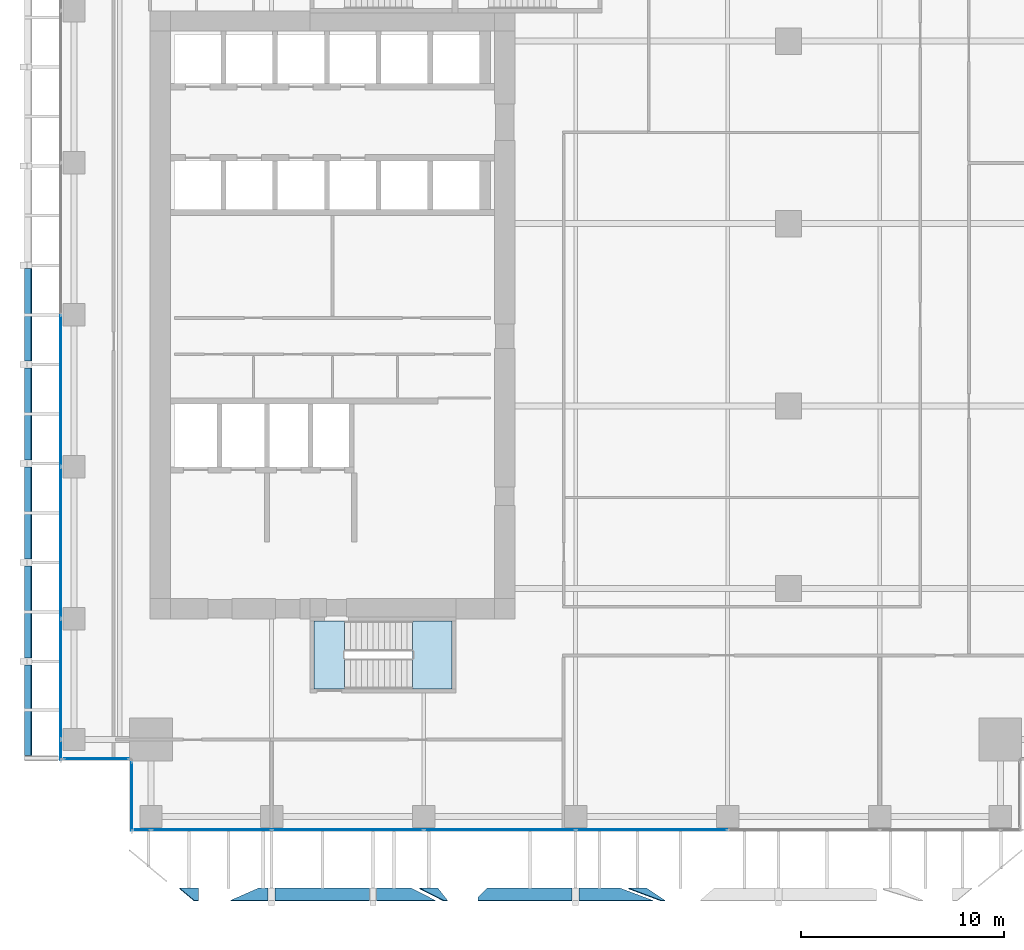
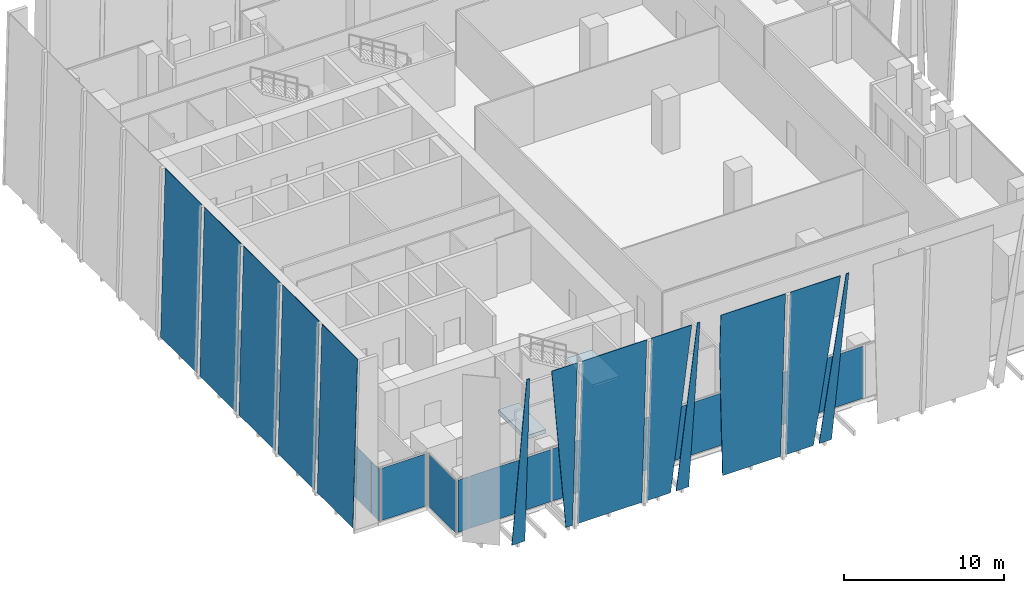
# One storey, part 23 of 36: 24 plates, 2 slabs, 5 elements without a shape of their own.
"""IFC4 building model written with IfcOpenShell, lengths in metres."""

from ifc_helpers import new_model, si_unit, direction, frame, origin, origin_2d, place, context, subcontext, project, spatial, polyline, rectangle, outline, extrude, source, transform, mapped, material, layer, layer_set, type_object, element, aggregate, save


model = new_model("IFC4")

# Units and contexts
model_context = context("Model", 3, precision=1e-05, world=origin(), true_north=direction((0.0, 1.0)))
body_context = subcontext(model_context, "Body", "Model", "MODEL_VIEW")
ifc_project = project(units=[si_unit("LENGTHUNIT", "METRE"), si_unit("AREAUNIT", "SQUARE_METRE"), si_unit("VOLUMEUNIT", "CUBIC_METRE"), si_unit("PLANEANGLEUNIT", "RADIAN"), si_unit("MASSUNIT", "GRAM", prefix="KILO")], contexts=[model_context])

# Site, building, storey
site_placement = place(None, origin())
site = spatial("IfcSite", under=ifc_project, at=site_placement, CompositionType="ELEMENT")
building_placement = place(site_placement, origin())
building = spatial("IfcBuilding", under=site, at=building_placement, Name="Khomas Fold Tower", CompositionType="ELEMENT")
storey_placement = place(building_placement, frame((0.0, 0.0, 141.10009765625)))
storey = spatial("IfcBuildingStorey", under=building, at=storey_placement, Name="L30", CompositionType="ELEMENT", Elevation=141.10009765625)

# Plates
ifc_material_1 = material(Name="Clear laminated glass", Category="glass")
ifc_layer_1 = layer(ifc_material_1, 0.0400390625)
ifc_layer_set_1 = layer_set([ifc_layer_1], Name="Clear laminated glass")
plate_type_1 = type_object("IfcPlateType", Name="SK-Clear laminated glass leaf", PredefinedType="SHEET", material=ifc_layer_set_1)
plate_1_placement = place(storey_placement, frame((8.39990234375, -1.27978515625, 0.0), z_axis=(0.0, 0.998875266546, 0.047415207295), x_axis=(-1.0, 0.0, 0.0)))
element("IfcPlate", 1, at=plate_1_placement, inside=storey, type_object=plate_type_1, Name="OUTER SKIN glass L30 SG099-1", PredefinedType="SHEET", context=body_context, shape_type="SweptSolid", body=[
    extrude(outline(polyline([(0.0, 0.0), (0.94384765625, 0.0), (0.217529296875, 12.764356498773964), (0.0, 12.764356498773964), (0.0, 0.0)])), origin(), (0.0, 0.0, -1.0), 0.0400390625),
])
plate_2_placement = place(storey_placement, frame((20.203369140625, -1.27978515625, 0.0), z_axis=(0.0, 0.998875266546, 0.047415207295), x_axis=(-1.0, 0.0, 0.0)))
element("IfcPlate", 2, at=plate_2_placement, inside=storey, type_object=plate_type_1, Name="OUTER SKIN glass L30 SG101-3", PredefinedType="SHEET", context=body_context, shape_type="SweptSolid", body=[
    extrude(outline(polyline([(0.0, 0.0), (0.906005859375, 0.0), (-0.274169921875, 12.764356498773965), (-0.47412109375, 12.764356498773965), (0.0, 0.0)])), origin(), (0.0, 0.0, -1.0), 0.0400390625),
])
plate_3_placement = place(storey_placement, frame((11.35205078125, -1.27978515625, 0.0), z_axis=(0.0, 0.998875266546, 0.047415207295), x_axis=(-0.107346599894, -0.047141226065, 0.993103424773)))
element("IfcPlate", 3, at=plate_3_placement, inside=storey, type_object=plate_type_1, Name="OUTER SKIN glass L30 SG099-4", PredefinedType="SHEET", context=body_context, shape_type="SweptSolid", body=[
    extrude(outline(polyline([(0.0, 0.0), (12.83854197050124, 0.0), (12.639285085981884, 1.845475408788143), (-0.05131461000774701, 0.4752651388145711), (0.0, 0.0)])), origin(), (0.0, 0.0, -1.0), 0.0400390625),
])
plate_4_placement = place(storey_placement, frame((12.169921875, -1.27978515625, 0.0), z_axis=(0.0, 0.998875266546, 0.047415207295), x_axis=(0.0, -0.047415207295, 0.998875266546)))
element("IfcPlate", 4, at=plate_4_placement, inside=storey, type_object=plate_type_1, Name="OUTER SKIN glass L30 SG100-6", PredefinedType="SHEET", context=body_context, shape_type="SweptSolid", body=[
    extrude(outline(polyline([(0.0, 0.0), (12.764356498773964, 0.0), (12.764356498773964, 4.66015625), (0.0, 4.66015625), (0.0, 0.0)])), origin(), (0.0, 0.0, -1.0), 0.0400390625),
])
plate_5_placement = place(storey_placement, frame((18.895751953125, -1.27978515625, 0.0), z_axis=(0.0, 0.998875266546, 0.047415207295), x_axis=(-1.0, 0.0, 0.0)))
element("IfcPlate", 5, at=plate_5_placement, inside=storey, type_object=plate_type_1, Name="OUTER SKIN glass L30 SG101-8", PredefinedType="SHEET", context=body_context, shape_type="SweptSolid", body=[
    extrude(outline(polyline([(0.0, 0.0), (1.725830078125, 0.0), (1.725830078125, 12.764356498773964), (-1.18017578125, 12.764356498773964), (0.0, 0.0)])), origin(), (0.0, 0.0, -1.0), 0.0400390625),
])
plate_6_placement = place(storey_placement, frame((30.501220703125, -1.27978515625, 0.0), z_axis=(0.0, 0.998875266546, 0.047415207295), x_axis=(-1.0, 0.0, 0.0)))
element("IfcPlate", 6, at=plate_6_placement, inside=storey, type_object=plate_type_1, Name="OUTER SKIN glass L30 SG103-9", PredefinedType="SHEET", context=body_context, shape_type="SweptSolid", body=[
    extrude(outline(polyline([(0.0, 0.0), (0.90478515625, 0.0), (-0.70458984375, 12.764356498773964), (-0.903564453125, 12.764356498773964), (0.0, 0.0)])), origin(), (0.0, 0.0, -1.0), 0.0400390625),
])
plate_7_placement = place(storey_placement, frame((22.64453125, -1.27978515625, 0.0), z_axis=(-2.064922e-06, 0.998875270184, 0.047415130602), x_axis=(-0.049181272799, -0.047357853524, 0.997666495436)))
element("IfcPlate", 7, at=plate_7_placement, inside=storey, type_object=plate_type_1, Name="OUTER SKIN glass L30 SG102-10", PredefinedType="SHEET", context=body_context, shape_type="SweptSolid", body=[
    extrude(outline(polyline([(0.0, 0.0), (9.65020521084845, 0.0), (12.772251848353278, 0.15373226358600894), (12.543059432537682, 4.80824911400712), (-0.2058505226709232, 4.180481814942348), (0.0, 0.0)])), origin(), (0.0, 0.0, -1.0), 0.0400390625),
])
plate_8_placement = place(storey_placement, frame((29.193359375, -1.27978515625, 0.0), z_axis=(0.0, 0.998875266546, 0.047415207295), x_axis=(-1.0, 0.0, 0.0)))
element("IfcPlate", 8, at=plate_8_placement, inside=storey, type_object=plate_type_1, Name="OUTER SKIN glass L30 SG103-12", PredefinedType="SHEET", context=body_context, shape_type="SweptSolid", body=[
    extrude(outline(polyline([(0.0, 0.0), (2.0234375, 0.0), (2.0234375, 12.764356498773964), (-1.609375, 12.764356498773964), (0.0, 0.0)])), origin(), (0.0, 0.0, -1.0), 0.0400390625),
])
plate_9_placement = place(storey_placement, frame((-0.203125, 5.27001953125, 0.0009765625), z_axis=(-0.9996570913, 0.0, 0.026185870498), x_axis=(0.0, 1.0, 0.0)))
element("IfcPlate", 9, at=plate_9_placement, inside=storey, type_object=plate_type_1, Name="OUTER SKIN glass L30 W1", PredefinedType="SHEET", context=body_context, shape_type="SweptSolid", body=[
    extrude(outline(polyline([(0.0, 0.0), (4.448974609375, 0.0), (4.448974609375, -12.754373585666377), (0.0, -12.754373585666377), (0.0, 0.0)])), origin(), (0.0, 0.0, -1.0), 0.0400390625),
])
for number, where, z_axis, x_axis, name in (
    (10, (-0.203125, 10.058837890625, 0.0009765625), (-0.9996570913, 0.0, 0.026185870498), (0.0, 1.0, 0.0), "OUTER SKIN glass L30 W3"),
    (11, (-0.203125, 14.94775390625, 0.0009765625), (-0.9996570913, 0.0, 0.026185870498), (0.0, 1.0, 0.0), "OUTER SKIN glass L30 W5"),
    (12, (-0.203125, 19.836669921875, 0.0009765625), (-0.9996570913, 0.0, 0.026185870498), (0.0, 1.0, 0.0), "OUTER SKIN glass L30 W7"),
    (13, (-0.203125, 24.7255859375, 0.0009765625), (-0.9996570913, 0.0, 0.026185870498), (0.0, 1.0, 0.0), "OUTER SKIN glass L30 W9"),
):
    element("IfcPlate", number, at=place(storey_placement, frame(where, z_axis=z_axis, x_axis=x_axis)), inside=storey, type_object=plate_type_1, Name=name, PredefinedType="SHEET", context=body_context, shape_type="SweptSolid", body=[
        extrude(outline(polyline([(0.0, 0.0), (4.548828125, 0.0), (4.548828125, -12.754373585666377), (0.0, -12.754373585666377), (0.0, 0.0)])), origin(), (0.0, 0.0, -1.0), 0.0400390625),
    ])

# Curtain wall, plates
ifc_material_2 = material(Name="Aluminium framed double glazing", Category="aluminium")
curtain_wall_type = type_object("IfcCurtainWallType", Name="SK-Unitised clear-glass wall, growing floors CW1", PredefinedType="NOTDEFINED", material=ifc_material_2)
curtain_wall_1_placement = place(storey_placement, origin())
curtain_wall_1 = element("IfcCurtainWall", 14, at=curtain_wall_1_placement, inside=storey, type_object=curtain_wall_type, Name="CW1 run L30 00-0", PredefinedType="NOTDEFINED")
ifc_material_3 = material(Name="Clear double glazed unit")
ifc_layer_2 = layer(ifc_material_3, 0.031982421875)
ifc_layer_set_2 = layer_set([ifc_layer_2], Name="Clear double glazed unit")
plate_type_2 = type_object("IfcPlateType", Name="SK-Unitised clear-glass wall, growing floors glass panel CW1-P", PredefinedType="CURTAIN_PANEL", material=ifc_layer_set_2)
shared_shape_1 = source(origin(), body_context, "Body", "SweptSolid", [
    extrude(rectangle(XDim=0.760009765625, YDim=0.031982421875, at=origin_2d()), origin(), (0.0, 0.0, 1.0), 3.97998046875),
])
plate_10_placement = place(storey_placement, frame((5.639892578125, 1.60009765625, 0.0), z_axis=(0.0, 0.0, 1.0), x_axis=(1.0, 0.0, 0.0)))
plate_10 = element("IfcPlate", 15, at=plate_10_placement, type_object=plate_type_2, Name="CW1 glass panel 1", PredefinedType="CURTAIN_PANEL", context=body_context, shape_type="MappedRepresentation", body=[
    mapped(shared_shape_1, transform((0.0, 0.0, 0.0))),
])
shared_shape_2 = source(origin(), body_context, "Body", "SweptSolid", [
    extrude(rectangle(XDim=5.889892578125, YDim=0.031982421875, at=origin_2d()), origin(), (0.0, 0.0, 1.0), 3.97998046875),
])
plate_11_placement = place(storey_placement, frame((9.02490234375, 1.60009765625, 0.0), z_axis=(0.0, 0.0, 1.0), x_axis=(1.0, 0.0, 0.0)))
plate_11 = element("IfcPlate", 16, at=plate_11_placement, type_object=plate_type_2, Name="CW1 glass panel 2", PredefinedType="CURTAIN_PANEL", context=body_context, shape_type="MappedRepresentation", body=[
    mapped(shared_shape_2, transform((0.0, 0.0, 0.0))),
])

# Curtain wall, plate
curtain_wall_2_placement = place(storey_placement, origin())
curtain_wall_2 = element("IfcCurtainWall", 17, at=curtain_wall_2_placement, inside=storey, type_object=curtain_wall_type, Name="CW1 run L30 09-0", PredefinedType="NOTDEFINED")
plate_12_placement = place(storey_placement, frame((1.60009765625, 9.02490234375, 0.0), z_axis=(0.0, 0.0, 1.0), x_axis=(0.0, -1.0, 0.0)))
plate_12 = element("IfcPlate", 18, at=plate_12_placement, type_object=plate_type_2, Name="CW1 glass panel 7", PredefinedType="CURTAIN_PANEL", context=body_context, shape_type="MappedRepresentation", body=[
    mapped(shared_shape_2, transform((0.0, 0.0, 0.0))),
])

# Plate
shared_shape_3 = source(origin(), body_context, "Body", "SweptSolid", [
    extrude(rectangle(XDim=7.43994140625, YDim=0.031982421875, at=origin_2d()), origin(), (0.0, 0.0, 1.0), 3.97998046875),
])
plate_13_placement = place(storey_placement, frame((15.75, 1.60009765625, 0.0), z_axis=(0.0, 0.0, 1.0), x_axis=(1.0, 0.0, 0.0)))
plate_13 = element("IfcPlate", 19, at=plate_13_placement, type_object=plate_type_2, Name="CW1 glass panel 3", PredefinedType="CURTAIN_PANEL", context=body_context, shape_type="MappedRepresentation", body=[
    mapped(shared_shape_3, transform((0.0, 0.0, 0.0))),
])

plate_14_placement = place(storey_placement, frame((23.25, 1.60009765625, 0.0), z_axis=(0.0, 0.0, 1.0), x_axis=(1.0, 0.0, 0.0)))
plate_14 = element("IfcPlate", 20, at=plate_14_placement, type_object=plate_type_2, Name="CW1 glass panel 4", PredefinedType="CURTAIN_PANEL", context=body_context, shape_type="MappedRepresentation", body=[
    mapped(shared_shape_3, transform((0.0, 0.0, 0.0))),
])

plate_15_placement = place(storey_placement, frame((30.75, 1.60009765625, 0.0), z_axis=(0.0, 0.0, 1.0), x_axis=(1.0, 0.0, 0.0)))
plate_15 = element("IfcPlate", 21, at=plate_15_placement, type_object=plate_type_2, Name="CW1 glass panel 5", PredefinedType="CURTAIN_PANEL", context=body_context, shape_type="MappedRepresentation", body=[
    mapped(shared_shape_3, transform((0.0, 0.0, 0.0))),
])

aggregate(curtain_wall_1, [plate_10, plate_11, plate_13, plate_14, plate_15])

plate_16_placement = place(storey_placement, frame((1.60009765625, 23.25, 0.0), z_axis=(0.0, 0.0, 1.0), x_axis=(0.0, -1.0, 0.0)))
plate_16 = element("IfcPlate", 22, at=plate_16_placement, type_object=plate_type_2, Name="CW1 glass panel 5", PredefinedType="CURTAIN_PANEL", context=body_context, shape_type="MappedRepresentation", body=[
    mapped(shared_shape_3, transform((0.0, 0.0, 0.0))),
])

plate_17_placement = place(storey_placement, frame((1.60009765625, 15.75, 0.0), z_axis=(0.0, 0.0, 1.0), x_axis=(0.0, -1.0, 0.0)))
plate_17 = element("IfcPlate", 23, at=plate_17_placement, type_object=plate_type_2, Name="CW1 glass panel 6", PredefinedType="CURTAIN_PANEL", context=body_context, shape_type="MappedRepresentation", body=[
    mapped(shared_shape_3, transform((0.0, 0.0, 0.0))),
])

shared_shape_4 = source(origin(), body_context, "Body", "SweptSolid", [
    extrude(rectangle(XDim=0.9599609375, YDim=0.031982421875, at=origin_2d()), origin(), (0.0, 0.0, 1.0), 3.97998046875),
])
plate_18_placement = place(storey_placement, frame((1.60009765625, 5.5400390625, 0.0), z_axis=(0.0, 0.0, 1.0), x_axis=(0.0, -1.0, 0.0)))
plate_18 = element("IfcPlate", 24, at=plate_18_placement, type_object=plate_type_2, Name="CW1 glass panel 8", PredefinedType="CURTAIN_PANEL", context=body_context, shape_type="MappedRepresentation", body=[
    mapped(shared_shape_4, transform((0.0, 0.0, 0.0))),
])

aggregate(curtain_wall_2, [plate_16, plate_17, plate_12, plate_18])

# Curtain wall, plate
curtain_wall_3_placement = place(storey_placement, origin())
curtain_wall_3 = element("IfcCurtainWall", 25, at=curtain_wall_3_placement, inside=storey, type_object=curtain_wall_type, Name="CW1 corner return L30 10", PredefinedType="NOTDEFINED")
shared_shape_5 = source(origin(), body_context, "Body", "SweptSolid", [
    extrude(rectangle(XDim=3.179931640625, YDim=0.031982421875, at=origin_2d()), origin(), (0.0, 0.0, 1.0), 3.97998046875),
])
plate_19_placement = place(storey_placement, frame((3.35009765625, 5.10009765625, 0.0), z_axis=(0.0, 0.0, 1.0), x_axis=(1.0, 0.0, 0.0)))
plate_19 = element("IfcPlate", 26, at=plate_19_placement, type_object=plate_type_2, Name="CW1 glass panel 1", PredefinedType="CURTAIN_PANEL", context=body_context, shape_type="MappedRepresentation", body=[
    mapped(shared_shape_5, transform((0.0, 0.0, 0.0))),
])
aggregate(curtain_wall_3, [plate_19])

curtain_wall_4_placement = place(storey_placement, origin())
curtain_wall_4 = element("IfcCurtainWall", 27, at=curtain_wall_4_placement, inside=storey, type_object=curtain_wall_type, Name="CW1 corner return L30 11", PredefinedType="NOTDEFINED")
shared_shape_6 = source(origin(), body_context, "Body", "SweptSolid", [
    extrude(rectangle(XDim=3.3798828125, YDim=0.031982421875, at=origin_2d()), origin(), (0.0, 0.0, 1.0), 3.97998046875),
])
plate_20_placement = place(storey_placement, frame((5.10009765625, 3.25, 0.0), z_axis=(0.0, 0.0, 1.0), x_axis=(0.0, -1.0, 0.0)))
plate_20 = element("IfcPlate", 28, at=plate_20_placement, type_object=plate_type_2, Name="CW1 glass panel 1", PredefinedType="CURTAIN_PANEL", context=body_context, shape_type="MappedRepresentation", body=[
    mapped(shared_shape_6, transform((0.0, 0.0, 0.0))),
])
aggregate(curtain_wall_4, [plate_20])

# Stair, slab
ifc_material_4 = material(Name="Concrete C40/50", Category="concrete")
stair_type = type_object("IfcStairType", Name="Stair ST2", PredefinedType="HALF_TURN_STAIR", material=ifc_material_4)
stair_placement = place(storey_placement, origin())
stair = element("IfcStair", 29, at=stair_placement, inside=storey, type_object=stair_type, Name="L30 ST2", PredefinedType="HALF_TURN_STAIR")
ifc_material_5 = material(Name="Concrete C40/50", Category="concrete")
ifc_layer_3 = layer(ifc_material_5, 0.199951171875)
ifc_layer_set_3 = layer_set([ifc_layer_3], Name="Concrete C40/50")
slab_type_1 = type_object("IfcSlabType", Name="Stair landing 200", PredefinedType="LANDING", material=ifc_layer_set_3)
shared_shape_7 = source(origin(), body_context, "Body", "SweptSolid", [
    extrude(outline(polyline([(18.9599609375, 8.550048828125), (20.89990234375, 8.550048828125), (20.89990234375, 11.89990234375), (18.9599609375, 11.89990234375), (18.9599609375, 8.550048828125)])), origin(), (0.0, 0.0, 1.0), 0.199951171875),
])
slab_1_placement = place(storey_placement, frame((0.0, 0.0, 2.0)))
slab_1 = element("IfcSlab", 30, at=slab_1_placement, type_object=slab_type_1, Name="ST2 landing 1", PredefinedType="LANDING", context=body_context, shape_type="MappedRepresentation", body=[
    mapped(shared_shape_7, transform((0.0, 0.0, 0.0))),
])
aggregate(stair, [slab_1])

# Slab
ifc_material_6 = material(Name="Concrete C40/50", Category="concrete")
ifc_layer_4 = layer(ifc_material_6, 0.300048828125)
ifc_layer_set_4 = layer_set([ifc_layer_4], Name="Concrete C40/50")
slab_type_2 = type_object("IfcSlabType", Name="Stair floor landing 300", PredefinedType="LANDING", material=ifc_layer_set_4)
shared_shape_8 = source(origin(), body_context, "Body", "SweptSolid", [
    extrude(outline(polyline([(15.60009765625, 8.550048828125), (14.10009765625, 8.550048828125), (14.10009765625, 11.89990234375), (15.60009765625, 11.89990234375), (15.60009765625, 8.550048828125)])), origin(), (0.0, 0.0, 1.0), 0.300048828125),
])
slab_2_placement = place(storey_placement, frame((0.0, 0.0, -0.300048828125)))
element("IfcSlab", 31, at=slab_2_placement, inside=storey, type_object=slab_type_2, Name="ST2 floor landing", PredefinedType="LANDING", context=body_context, shape_type="MappedRepresentation", body=[
    mapped(shared_shape_8, transform((0.0, 0.0, 0.0))),
])

save(model, "model.ifc")
